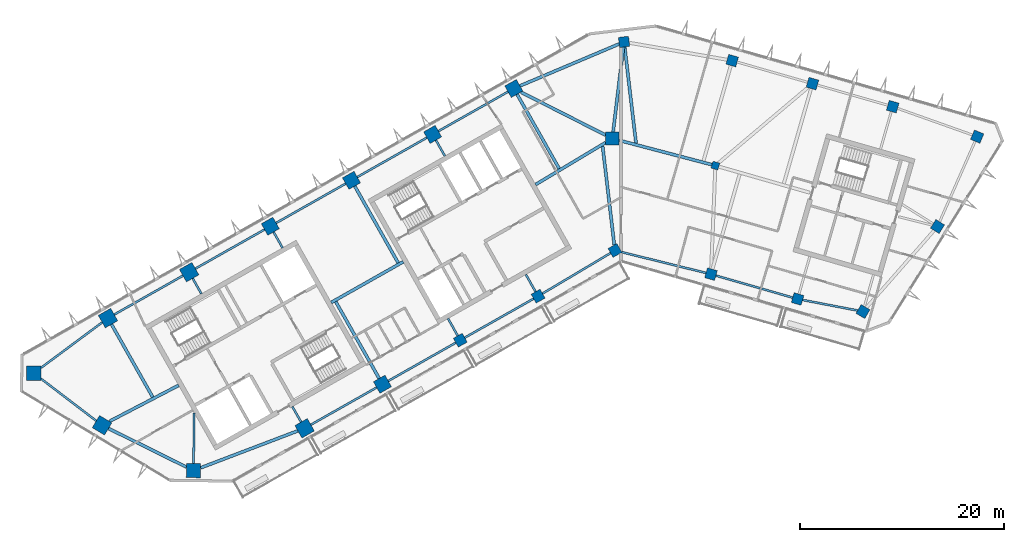
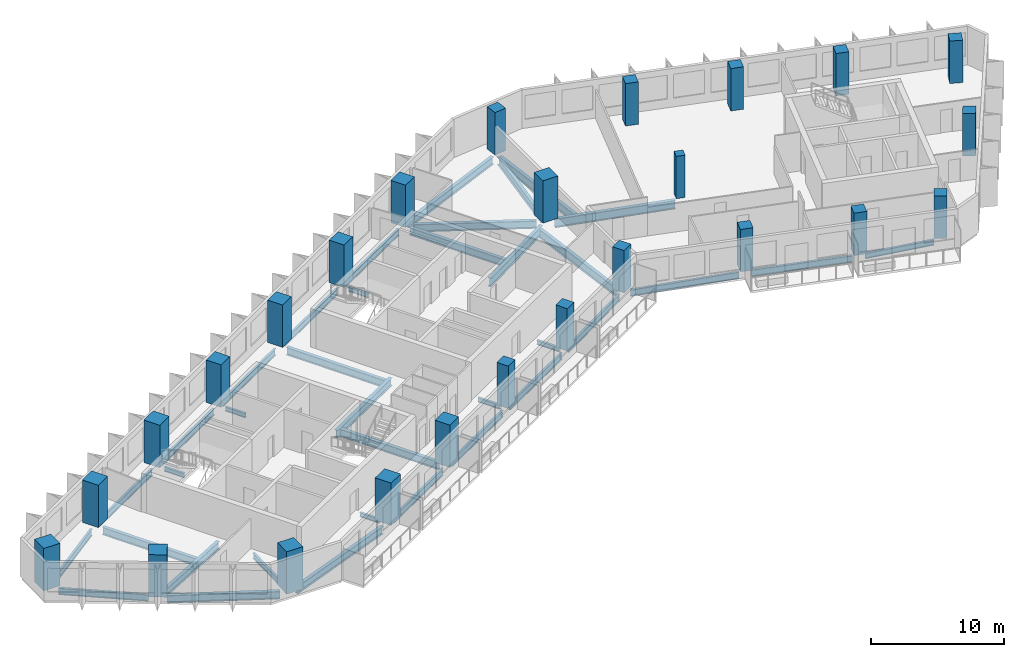
# One storey, part 1 of 12: 36 beams, 25 columns.
"""IFC4 building model written with IfcOpenShell, lengths in metres."""

import ifcopenshell
import ifcopenshell.guid

model = None  # the IFC model being written
_history = None  # IfcOwnerHistory: only IFC2X3 demands one
_inside = {}  # id of a spatial element -> (the spatial element, [elements in it])
_under = {}  # id of a project, library or spatial element -> (it, [spatial elements below it])
_declared = {}  # id of a project -> (the project, [libraries it declares])
_typed = {}  # id of a type object -> (the type object, [elements of that type])
_made_of = {}  # id of a material, layer set ... -> (it, [elements and type objects made of it])


def new_model(schema):
    """Start an empty IFC model of exactly this schema.

    Asked for "IFC4X3", IfcOpenShell would pick the latest addendum, in which some entities
    have other attributes; the version numbers below select the first issue.
    IFC2X3 requires an IfcOwnerHistory on every rooted entity: one is made here for all.
    """
    global model, _history
    if schema == "IFC4X3":
        model = ifcopenshell.file(schema_version=(4, 3, 0, 0))
    else:
        model = ifcopenshell.file(schema=schema)
    _inside.clear()
    _under.clear()
    _declared.clear()
    _typed.clear()
    _made_of.clear()
    _history = None
    if model.schema == "IFC2X3":
        org = make("IfcOrganization", Name="unknown")
        user = make(
            "IfcPersonAndOrganization",
            ThePerson=make("IfcPerson", FamilyName="unknown"),
            TheOrganization=org,
        )
        app = make(
            "IfcApplication",
            ApplicationDeveloper=org,
            Version="unknown",
            ApplicationFullName="unknown",
            ApplicationIdentifier="unknown",
        )
        _history = make(
            "IfcOwnerHistory",
            OwningUser=user,
            OwningApplication=app,
            ChangeAction="ADDED",
            CreationDate=0,
        )
    return model


def make(cls, **values):
    """One entity of the class cls with the attributes given. An attribute that is None is left unset."""
    return model.create_entity(
        cls, **{name: value for name, value in values.items() if value is not None}
    )


def rooted(cls, **values):
    """An entity with a GlobalId (a new one), such as an element, a storey or a relation."""
    return make(cls, GlobalId=ifcopenshell.guid.new(), OwnerHistory=_history, **values)


def si_unit(unit_type, name, prefix=None):
    """IfcSIUnit, for example si_unit("LENGTHUNIT", "METRE", prefix="MILLI")."""
    return make("IfcSIUnit", UnitType=unit_type, Prefix=prefix, Name=name)


def assignment(units):
    """IfcUnitAssignment: the units of a project."""
    return None if units is None else make("IfcUnitAssignment", Units=units)


def point(xyz):
    """IfcCartesianPoint."""
    return None if xyz is None else make("IfcCartesianPoint", Coordinates=xyz)


def direction(xyz):
    """IfcDirection."""
    return None if xyz is None else make("IfcDirection", DirectionRatios=xyz)


def frame(location, z_axis=None, x_axis=None):
    """IfcAxis2Placement3D, a coordinate frame: its origin and axes. An axis left out is left unset."""
    return make(
        "IfcAxis2Placement3D",
        Location=point(location),
        Axis=direction(z_axis),
        RefDirection=direction(x_axis),
    )


def frame_2d(location, x_axis=None):
    """IfcAxis2Placement2D, a coordinate frame in the plane: its origin and x axis."""
    return make(
        "IfcAxis2Placement2D", Location=point(location), RefDirection=direction(x_axis)
    )


def origin():
    """The frame at (0, 0, 0) with its axes left unset."""
    return frame((0.0, 0.0, 0.0))


def origin_2d():
    """The frame at (0, 0) in the plane with its x axis left unset."""
    return frame_2d((0.0, 0.0))


def place(relative_to, where):
    """IfcLocalPlacement: puts the frame where relative to a parent placement (None: the world)."""
    return make(
        "IfcLocalPlacement", PlacementRelTo=relative_to, RelativePlacement=where
    )


def context(
    kind, dimensions, precision=None, world=None, true_north=None, identifier=None
):
    """IfcGeometricRepresentationContext, for example the 3D "Model" context."""
    return make(
        "IfcGeometricRepresentationContext",
        ContextIdentifier=identifier,
        ContextType=kind,
        CoordinateSpaceDimension=dimensions,
        Precision=precision,
        WorldCoordinateSystem=world,
        TrueNorth=true_north,
    )


def subcontext(parent, identifier, kind, view, scale=None):
    """IfcGeometricRepresentationSubContext, for example "Body" below "Model"."""
    return make(
        "IfcGeometricRepresentationSubContext",
        ContextIdentifier=identifier,
        ContextType=kind,
        ParentContext=parent,
        TargetScale=scale,
        TargetView=view,
    )


def project(units=None, contexts=None):
    """IfcProject with its units and contexts."""
    return rooted(
        "IfcProject",
        Name="project",
        RepresentationContexts=contexts,
        UnitsInContext=assignment(units),
    )


def spatial(cls, under=None, at=None, **own):
    """A site, building, storey or space (cls), placed at a placement, below another one or the project."""
    s = rooted(cls, ObjectPlacement=at, **own)
    if under is not None:
        _under.setdefault(under.id(), (under, []))[1].append(s)
    return s


def profile(cls, at=None, kind="AREA", **sizes):
    """A parametric profile (cls). Its sizes go by their IFC names, for example OverallWidth=200.0."""
    return make(cls, ProfileType=kind, Position=at, **sizes)


def rectangle(**sizes):
    """IfcRectangleProfileDef."""
    return profile("IfcRectangleProfileDef", **sizes)


def i_section(**sizes):
    """IfcIShapeProfileDef."""
    return profile("IfcIShapeProfileDef", **sizes)


def extrude(swept, where, along, depth):
    """IfcExtrudedAreaSolid: the profile swept, set in the frame where, extruded along a direction by depth."""
    return make(
        "IfcExtrudedAreaSolid",
        SweptArea=swept,
        Position=where,
        ExtrudedDirection=direction(along),
        Depth=depth,
    )


def shape(context_of_items, identifier, shape_type, items):
    """IfcShapeRepresentation: the items that make up one representation, for example the "Body"."""
    return make(
        "IfcShapeRepresentation",
        ContextOfItems=context_of_items,
        RepresentationIdentifier=identifier,
        RepresentationType=shape_type,
        Items=items,
    )


def material(Name=None, Category=None):
    """IfcMaterial."""
    return make("IfcMaterial", Name=Name, Category=Category)


def material_profile(
    of_material, cross_section, Name=None, Category=None, Priority=None
):
    """IfcMaterialProfile: a cross section and its material."""
    return make(
        "IfcMaterialProfile",
        Name=Name,
        Material=of_material,
        Profile=cross_section,
        Priority=Priority,
        Category=Category,
    )


def profile_set(profiles, Name=None, composite=None):
    """IfcMaterialProfileSet."""
    return make(
        "IfcMaterialProfileSet",
        Name=Name,
        MaterialProfiles=profiles,
        CompositeProfile=composite,
    )


def made_of(thing, what):
    """Note that an element or type object is made of a material, layer set ...; save() writes the relation."""
    if what is not None:
        _made_of.setdefault(what.id(), (what, []))[1].append(thing)
    return thing


def type_object(cls, material=None, **own):
    """A type object (cls), such as IfcWallType, which elements share."""
    return made_of(rooted(cls, **own), material)


def element(
    cls,
    number,
    at=None,
    inside=None,
    cuts=None,
    type_object=None,
    material=None,
    context=None,
    identifier="Body",
    shape_type=None,
    held_by="IfcProductDefinitionShape",
    body=None,
    shapes=None,
    **own,
):
    """One element of the class cls, such as IfcWall. Its Tag is "e" and its number.

    at: its placement. inside: the storey or other place that contains it. cuts: it is an
    opening in that element (IfcRelVoidsElement). A single representation is given by context,
    identifier, shape_type and body (its items); several are given by shapes. held_by: the class
    of the entity that holds the representations. save() writes the other relations.
    """
    e = rooted(cls, Tag="e%d" % number, ObjectPlacement=at, **own)
    if body is not None:
        shapes = [shape(context, identifier, shape_type, body)]
    if shapes is not None:
        e.Representation = make(held_by, Representations=shapes)
    if inside is not None:
        _inside.setdefault(inside.id(), (inside, []))[1].append(e)
    if cuts is not None:
        rooted(
            "IfcRelVoidsElement", RelatingBuildingElement=cuts, RelatedOpeningElement=e
        )
    if type_object is not None:
        _typed.setdefault(type_object.id(), (type_object, []))[1].append(e)
    return made_of(e, material)


def aggregate(whole, parts):
    """IfcRelAggregates: a whole, such as a stair, and the parts it consists of."""
    return rooted("IfcRelAggregates", RelatingObject=whole, RelatedObjects=parts)


def save(model, path):
    """Write the relations noted so far, then the file.

    IfcRelAggregates (storeys below a building ...), IfcRelContainedInSpatialStructure (elements
    in a storey), IfcRelDefinesByType, IfcRelAssociatesMaterial and IfcRelDeclares: one each for
    every whole, place, type object, material and project.
    """
    for whole, parts in _under.values():
        aggregate(whole, parts)
    for where, things in _inside.values():
        rooted(
            "IfcRelContainedInSpatialStructure",
            RelatedElements=things,
            RelatingStructure=where,
        )
    for kind, things in _typed.values():
        rooted("IfcRelDefinesByType", RelatedObjects=things, RelatingType=kind)
    for what, things in _made_of.values():
        rooted("IfcRelAssociatesMaterial", RelatedObjects=things, RelatingMaterial=what)
    for by, libraries in _declared.values():
        rooted("IfcRelDeclares", RelatingContext=by, RelatedDefinitions=libraries)
    model.write(path)


model = new_model("IFC4")

# Units and contexts
model_context = context("Model", 3, precision=1e-05, world=origin(), true_north=direction((0.0, 1.0)))
body_context = subcontext(model_context, "Body", "Model", "MODEL_VIEW")
ifc_project = project(units=[si_unit("LENGTHUNIT", "METRE"), si_unit("AREAUNIT", "SQUARE_METRE"), si_unit("VOLUMEUNIT", "CUBIC_METRE"), si_unit("PLANEANGLEUNIT", "RADIAN"), si_unit("MASSUNIT", "GRAM", prefix="KILO")], contexts=[model_context])

# Site, building, storey
site_placement = place(None, origin())
site = spatial("IfcSite", under=ifc_project, at=site_placement, CompositionType="ELEMENT")
building_placement = place(site_placement, origin())
building = spatial("IfcBuilding", under=site, at=building_placement, Name="Binnacle Exchange Tower", CompositionType="ELEMENT")
storey_placement = place(building_placement, frame((0.0, 0.0, 254.300048828125)))
storey = spatial("IfcBuildingStorey", under=building, at=storey_placement, Name="L56", CompositionType="ELEMENT", Elevation=254.300048828125)

# Columns
ifc_material_1 = material(Name="Concrete C60/75", Category="concrete")
ifc_material_profile_1 = material_profile(ifc_material_1, rectangle(XDim=0.699951171875, YDim=0.699951171875, at=origin_2d()), Name="Column 700x700 C60/75")
ifc_profile_set_1 = profile_set([ifc_material_profile_1], Name="Concrete C60/75")
column_type_1 = type_object("IfcColumnType", Name="Column 700x700 C60/75", PredefinedType="COLUMN", material=ifc_profile_set_1)
column_placement = place(storey_placement, frame((9.240966796875, 57.35009765625, 0.0), z_axis=(0.0, 0.0, 1.0), x_axis=(0.961261695938, -0.275637355817, 0.0)))
element("IfcColumn", 1, at=column_placement, inside=storey, type_object=column_type_1, Name="S:COL:C19:L56", PredefinedType="COLUMN", context=body_context, shape_type="SweptSolid", body=[
    extrude(rectangle(XDim=0.699951171875, YDim=0.699951171875, at=origin_2d()), origin(), (0.0, 0.0, 1.0), 3.89990234375),
])
ifc_material_profile_2 = material_profile(ifc_material_1, rectangle(XDim=1.0, YDim=1.0, at=origin_2d()), Name="Mega column 1000x1000 C60/75")
ifc_profile_set_2 = profile_set([ifc_material_profile_2], Name="Concrete C60/75")
column_type_2 = type_object("IfcColumnType", Name="Mega column 1000x1000 C60/75", PredefinedType="COLUMN", material=ifc_profile_set_2)
for number, where, z_axis, x_axis, name in (
    (2, (26.602783203125, 63.12353515625, 0.0), (0.0, 0.0, 1.0), (-0.961261695938, 0.275637355817, 0.0), "S:COL:MC52:L56"),
    (3, (18.746337890625, 65.376220703125, 0.0), (0.0, 0.0, 1.0), (-0.961261695938, 0.275637355817, 0.0), "S:COL:MC50:L56"),
    (4, (10.889892578125, 67.62890625, 0.0), (0.0, 0.0, 1.0), (-0.961261695938, 0.275637355817, 0.0), "S:COL:MC48:L56"),
    (5, (0.300048828125, 69.464111328125, 0.0), (0.0, 0.0, 1.0), (-0.993068456955, -0.117537397458, 0.0), "S:COL:MC47:L56"),
    (6, (-15.736328125, 40.257080078125, 0.0), (0.0, 0.0, 1.0), (0.87035569594, 0.492423560103, 0.0), "S:COL:MC24:L56"),
    (7, (-8.116943359375, 44.568115234375, 0.0), (0.0, 0.0, 1.0), (0.87035569594, 0.492423560103, 0.0), "S:COL:MC35:L56"),
    (8, (-0.5908203125, 49.04443359375, 0.0), (0.0, 0.0, 1.0), (0.87035569594, 0.492423560103, 0.0), "S:COL:MC46:L56"),
    (9, (8.8095703125, 46.722412109375, 0.0), (0.0, 0.0, 1.0), (0.961261695938, -0.275637355817, 0.0), "S:COL:MC49:L56"),
    (10, (17.2880859375, 44.291015625, 0.0), (0.0, 0.0, 1.0), (0.961261695938, -0.275637355817, 0.0), "S:COL:MC51:L56"),
    (11, (23.690185546875, 43.062744140625, 0.0), (0.0, 0.0, 1.0), (-0.86532642813, 0.501208711795, 0.0), "S:COL:MC53:L56"),
    (12, (30.989501953125, 51.38623046875, 0.0), (0.0, 0.0, 1.0), (0.529919264233, 0.848048096156, 0.0), "S:COL:MC55:L56"),
    (13, (34.870361328125, 60.18701171875, 0.0), (0.0, 0.0, 1.0), (-0.922814001807, 0.385245789164, 0.0), "S:COL:MC54:L56"),
):
    element("IfcColumn", number, at=place(storey_placement, frame(where, z_axis=z_axis, x_axis=x_axis)), inside=storey, type_object=column_type_2, Name=name, PredefinedType="COLUMN", context=body_context, shape_type="SweptSolid", body=[
        extrude(rectangle(XDim=1.0, YDim=1.0, at=origin_2d()), origin(), (0.0, 0.0, 1.0), 3.89990234375),
    ])
ifc_material_profile_3 = material_profile(ifc_material_1, rectangle(XDim=1.300048828125, YDim=1.300048828125, at=origin_2d()), Name="Mega column 1300x1300 C60/75")
ifc_profile_set_3 = profile_set([ifc_material_profile_3], Name="Concrete C60/75")
column_type_3 = type_object("IfcColumnType", Name="Mega column 1300x1300 C60/75", PredefinedType="COLUMN", material=ifc_profile_set_3)
for number, where, z_axis, x_axis, name in (
    (14, (-10.4951171875, 64.901611328125, 0.0), (0.0, 0.0, 1.0), (-0.87035569594, -0.492423560103, 0.0), "S:COL:MC38:L56"),
    (15, (-18.44140625, 60.406005859375, 0.0), (0.0, 0.0, 1.0), (-0.87035569594, -0.492423560103, 0.0), "S:COL:MC29:L56"),
    (16, (-26.3876953125, 55.91015625, 0.0), (0.0, 0.0, 1.0), (-0.87035569594, -0.492423560103, 0.0), "S:COL:MC21:L56"),
    (17, (-34.333740234375, 51.414306640625, 0.0), (0.0, 0.0, 1.0), (-0.87035569594, -0.492423560103, 0.0), "S:COL:MC13:L56"),
    (18, (-23.35595703125, 35.9462890625, 0.0), (0.0, 0.0, 1.0), (0.87035569594, 0.492423560103, 0.0), "S:COL:MC16:L56"),
    (19, (-0.85009765625, 60.0, 0.0), (0.0, 0.0, 1.0), (0.0, 1.0, 0.0), "S:COL:MC45:L56"),
):
    element("IfcColumn", number, at=place(storey_placement, frame(where, z_axis=z_axis, x_axis=x_axis)), inside=storey, type_object=column_type_3, Name=name, PredefinedType="COLUMN", context=body_context, shape_type="SweptSolid", body=[
        extrude(rectangle(XDim=1.300048828125, YDim=1.300048828125, at=origin_2d()), origin(), (0.0, 0.0, 1.0), 3.89990234375),
    ])
ifc_material_profile_4 = material_profile(ifc_material_1, rectangle(XDim=1.39990234375, YDim=1.39990234375, at=origin_2d()), Name="Mega column 1400x1400 C60/75")
ifc_profile_set_4 = profile_set([ifc_material_profile_4], Name="Concrete C60/75")
column_type_4 = type_object("IfcColumnType", Name="Mega column 1400x1400 C60/75", PredefinedType="COLUMN", material=ifc_profile_set_4)
for number, where, z_axis, x_axis, name in (
    (20, (-42.280029296875, 46.918701171875, 0.0), (0.0, 0.0, 1.0), (-0.87035569594, -0.492423560103, 0.0), "S:COL:MC08:L56"),
    (21, (-50.226318359375, 42.4228515625, 0.0), (0.0, 0.0, 1.0), (-0.87035569594, -0.492423560103, 0.0), "S:COL:MC04:L56"),
    (22, (-57.492919921875, 37.02734375, 0.0), (0.0, 0.0, 1.0), (-0.013089595571, -0.999914327574, 0.0), "S:COL:MC02:L56"),
    (23, (-50.81201171875, 31.930908203125, 0.0), (0.0, 0.0, 1.0), (0.857167300702, -0.51503807491, 0.0), "S:COL:MC01:L56"),
    (24, (-41.857666015625, 27.494873046875, 0.0), (0.0, 0.0, 1.0), (0.999914327574, -0.013089595571, 0.0), "S:COL:MC03:L56"),
    (25, (-30.9755859375, 31.63525390625, 0.0), (0.0, 0.0, 1.0), (0.87035569594, 0.492423560103, 0.0), "S:COL:MC07:L56"),
):
    element("IfcColumn", number, at=place(storey_placement, frame(where, z_axis=z_axis, x_axis=x_axis)), inside=storey, type_object=column_type_4, Name=name, PredefinedType="COLUMN", context=body_context, shape_type="SweptSolid", body=[
        extrude(rectangle(XDim=1.39990234375, YDim=1.39990234375, at=origin_2d()), origin(), (0.0, 0.0, 1.0), 3.89990234375),
    ])

# Beams
ifc_material_2 = material(Name="Steel S355 (SHN355)", Category="steel")
ifc_material_profile_5 = material_profile(ifc_material_2, i_section(OverallWidth=0.199951171875, OverallDepth=0.5, WebThickness=0.010009765625, FlangeThickness=0.01611328125, FilletRadius=0.02001953125, at=origin_2d()), Name="H 500x200x10x16")
ifc_profile_set_5 = profile_set([ifc_material_profile_5], Name="Steel S355 (SHN355)")
beam_type_1 = type_object("IfcBeamType", Name="Edge girder H 500x200x10x16 Steel S355 (SHN355)", PredefinedType="SPANDREL", material=ifc_profile_set_5)
beam_1_placement = place(storey_placement, frame((17.78125, 44.196533203125, -0.530029296875), z_axis=(0.98208728148, -0.188426568073, 0.0), x_axis=(0.188426568073, 0.98208728148, 0.0)))
element("IfcBeam", 26, at=beam_1_placement, inside=storey, type_object=beam_type_1, Name="S:BM:edge:L56:028", PredefinedType="SPANDREL", context=body_context, shape_type="SweptSolid", body=[
    extrude(i_section(OverallWidth=0.199951171875, OverallDepth=0.5, WebThickness=0.010009765625, FlangeThickness=0.01611328125, FilletRadius=0.02001953125, at=origin_2d()), origin(), (0.0, 0.0, 1.0), 5.4873046875),
])
ifc_material_profile_6 = material_profile(ifc_material_2, i_section(OverallWidth=0.199951171875, OverallDepth=0.60009765625, WebThickness=0.010986328125, FlangeThickness=0.01708984375, FilletRadius=0.02197265625, at=origin_2d()), Name="H 600x200x11x17")
ifc_profile_set_6 = profile_set([ifc_material_profile_6], Name="Steel S355 (SHN355)")
beam_type_2 = type_object("IfcBeamType", Name="Edge girder H 600x200x11x17 Steel S355 (SHN355)", PredefinedType="SPANDREL", material=ifc_profile_set_6)
beam_2_placement = place(storey_placement, frame((-56.7998046875, 36.49853515625, -0.580078125), z_axis=(0.795081038606, -0.606503208606, 0.0), x_axis=(0.606503208606, 0.795081038606, 0.0)))
element("IfcBeam", 27, at=beam_2_placement, inside=storey, type_object=beam_type_2, Name="S:BM:edge:L56:011", PredefinedType="SPANDREL", context=body_context, shape_type="SweptSolid", body=[
    extrude(i_section(OverallWidth=0.199951171875, OverallDepth=0.60009765625, WebThickness=0.010986328125, FlangeThickness=0.01708984375, FilletRadius=0.02197265625, at=origin_2d()), origin(), (0.0, 0.0, 1.0), 6.82666015625),
])
ifc_material_profile_7 = material_profile(ifc_material_2, i_section(OverallWidth=0.200927734375, OverallDepth=0.60595703125, WebThickness=0.011962890625, FlangeThickness=0.02001953125, FilletRadius=0.02197265625, at=origin_2d()), Name="H 606x201x12x20")
ifc_profile_set_7 = profile_set([ifc_material_profile_7], Name="Steel S355 (SHN355)")
beam_type_3 = type_object("IfcBeamType", Name="Edge girder H 606x201x12x20 Steel S355 (SHN355)", PredefinedType="SPANDREL", material=ifc_profile_set_7)
beam_3_placement = place(storey_placement, frame((-50.79248046875, 42.00244140625, -0.5830078125), z_axis=(-0.802886959261, -0.596131303194, 0.0), x_axis=(0.596131303194, -0.802886959261, 0.0)))
element("IfcBeam", 28, at=beam_3_placement, inside=storey, type_object=beam_type_3, Name="S:BM:edge:L56:012", PredefinedType="SPANDREL", context=body_context, shape_type="SweptSolid", body=[
    extrude(i_section(OverallWidth=0.200927734375, OverallDepth=0.60595703125, WebThickness=0.011962890625, FlangeThickness=0.02001953125, FilletRadius=0.02197265625, at=origin_2d()), origin(), (0.0, 0.0, 1.0), 7.465087890625),
])
beam_4_placement = place(storey_placement, frame((-30.3662109375, 31.97998046875, -0.5830078125), z_axis=(0.87035151347, 0.49243095252, 0.0), x_axis=(-0.49243095252, 0.87035151347, 0.0)))
element("IfcBeam", 29, at=beam_4_placement, inside=storey, type_object=beam_type_3, Name="S:BM:edge:L56:017", PredefinedType="SPANDREL", context=body_context, shape_type="SweptSolid", body=[
    extrude(i_section(OverallWidth=0.200927734375, OverallDepth=0.60595703125, WebThickness=0.011962890625, FlangeThickness=0.02001953125, FilletRadius=0.02197265625, at=origin_2d()), origin(), (0.0, 0.0, 1.0), 7.404541015625),
])
beam_5_placement = place(storey_placement, frame((-22.790283203125, 36.266357421875, -0.5830078125), z_axis=(0.870357072119, 0.492421127708, 0.0), x_axis=(-0.492421127708, 0.870357072119, 0.0)))
element("IfcBeam", 30, at=beam_5_placement, inside=storey, type_object=beam_type_3, Name="S:BM:edge:L56:019", PredefinedType="SPANDREL", context=body_context, shape_type="SweptSolid", body=[
    extrude(i_section(OverallWidth=0.200927734375, OverallDepth=0.60595703125, WebThickness=0.011962890625, FlangeThickness=0.02001953125, FilletRadius=0.02197265625, at=origin_2d()), origin(), (0.0, 0.0, 1.0), 7.6044921875),
])
beam_6_placement = place(storey_placement, frame((-15.30126953125, 40.50341796875, -0.5830078125), z_axis=(0.870352841483, 0.492428605304, 0.0), x_axis=(-0.492428605304, 0.870352841483, 0.0)))
element("IfcBeam", 31, at=beam_6_placement, inside=storey, type_object=beam_type_3, Name="S:BM:edge:L56:021", PredefinedType="SPANDREL", context=body_context, shape_type="SweptSolid", body=[
    extrude(i_section(OverallWidth=0.200927734375, OverallDepth=0.60595703125, WebThickness=0.011962890625, FlangeThickness=0.02001953125, FilletRadius=0.02197265625, at=origin_2d()), origin(), (0.0, 0.0, 1.0), 7.754638671875),
])
beam_7_placement = place(storey_placement, frame((-7.68701171875, 44.82373046875, -0.5830078125), z_axis=(0.859458521045, 0.51120548765, 0.0), x_axis=(-0.51120548765, 0.859458521045, 0.0)))
element("IfcBeam", 32, at=beam_7_placement, inside=storey, type_object=beam_type_3, Name="S:BM:edge:L56:023", PredefinedType="SPANDREL", context=body_context, shape_type="SweptSolid", body=[
    extrude(i_section(OverallWidth=0.200927734375, OverallDepth=0.60595703125, WebThickness=0.011962890625, FlangeThickness=0.02001953125, FilletRadius=0.02197265625, at=origin_2d()), origin(), (0.0, 0.0, 1.0), 7.75634765625),
])
beam_8_placement = place(storey_placement, frame((9.2900390625, 46.58447265625, -0.5830078125), z_axis=(0.961265533153, -0.275623973506, 0.0), x_axis=(0.275623973506, 0.961265533153, 0.0)))
element("IfcBeam", 33, at=beam_8_placement, inside=storey, type_object=beam_type_3, Name="S:BM:edge:L56:026", PredefinedType="SPANDREL", context=body_context, shape_type="SweptSolid", body=[
    extrude(i_section(OverallWidth=0.200927734375, OverallDepth=0.60595703125, WebThickness=0.011962890625, FlangeThickness=0.02001953125, FilletRadius=0.02197265625, at=origin_2d()), origin(), (0.0, 0.0, 1.0), 7.820556640625),
])
ifc_material_profile_8 = material_profile(ifc_material_2, i_section(OverallWidth=0.201904296875, OverallDepth=0.612060546875, WebThickness=0.012939453125, FlangeThickness=0.02294921875, FilletRadius=0.02197265625, at=origin_2d()), Name="H 612x202x13x23")
ifc_profile_set_8 = profile_set([ifc_material_profile_8], Name="Steel S355 (SHN355)")
beam_type_4 = type_object("IfcBeamType", Name="Edge girder H 612x202x13x23 Steel S355 (SHN355)", PredefinedType="SPANDREL", material=ifc_profile_set_8)
beam_9_placement = place(storey_placement, frame((-42.88916015625, 46.573974609375, -0.5859375), z_axis=(-0.870355702011, -0.492423549372, 0.0), x_axis=(0.492423549372, -0.870355702011, 0.0)))
element("IfcBeam", 34, at=beam_9_placement, inside=storey, type_object=beam_type_4, Name="S:BM:edge:L56:014", PredefinedType="SPANDREL", context=body_context, shape_type="SweptSolid", body=[
    extrude(i_section(OverallWidth=0.201904296875, OverallDepth=0.612060546875, WebThickness=0.012939453125, FlangeThickness=0.02294921875, FilletRadius=0.02197265625, at=origin_2d()), origin(), (0.0, 0.0, 1.0), 7.72998046875),
])
beam_10_placement = place(storey_placement, frame((-34.8994140625, 51.09423828125, -0.5859375), z_axis=(-0.870365218126, -0.492406729317, 0.0), x_axis=(0.492406729317, -0.870365218126, 0.0)))
element("IfcBeam", 35, at=beam_10_placement, inside=storey, type_object=beam_type_4, Name="S:BM:edge:L56:016", PredefinedType="SPANDREL", context=body_context, shape_type="SweptSolid", body=[
    extrude(i_section(OverallWidth=0.201904296875, OverallDepth=0.612060546875, WebThickness=0.012939453125, FlangeThickness=0.02294921875, FilletRadius=0.02197265625, at=origin_2d()), origin(), (0.0, 0.0, 1.0), 7.77978515625),
])
beam_11_placement = place(storey_placement, frame((-26.953369140625, 55.590087890625, -0.5859375), z_axis=(-0.870361249296, -0.492413744452, 0.0), x_axis=(0.492413744452, -0.870361249296, 0.0)))
element("IfcBeam", 36, at=beam_11_placement, inside=storey, type_object=beam_type_4, Name="S:BM:edge:L56:018", PredefinedType="SPANDREL", context=body_context, shape_type="SweptSolid", body=[
    extrude(i_section(OverallWidth=0.201904296875, OverallDepth=0.612060546875, WebThickness=0.012939453125, FlangeThickness=0.02294921875, FilletRadius=0.02197265625, at=origin_2d()), origin(), (0.0, 0.0, 1.0), 7.829833984375),
])
beam_12_placement = place(storey_placement, frame((-19.007080078125, 60.0859375, -0.5859375), z_axis=(-0.870355446453, -0.492424001069, 0.0), x_axis=(0.492424001069, -0.870355446453, 0.0)))
element("IfcBeam", 37, at=beam_12_placement, inside=storey, type_object=beam_type_4, Name="S:BM:edge:L56:020", PredefinedType="SPANDREL", context=body_context, shape_type="SweptSolid", body=[
    extrude(i_section(OverallWidth=0.201904296875, OverallDepth=0.612060546875, WebThickness=0.012939453125, FlangeThickness=0.02294921875, FilletRadius=0.02197265625, at=origin_2d()), origin(), (0.0, 0.0, 1.0), 7.830078125),
])
beam_13_placement = place(storey_placement, frame((-11.060791015625, 64.58154296875, -0.5859375), z_axis=(-0.870361249296, -0.492413744452, 0.0), x_axis=(0.492413744452, -0.870361249296, 0.0)))
element("IfcBeam", 38, at=beam_13_placement, inside=storey, type_object=beam_type_4, Name="S:BM:edge:L56:022", PredefinedType="SPANDREL", context=body_context, shape_type="SweptSolid", body=[
    extrude(i_section(OverallWidth=0.201904296875, OverallDepth=0.612060546875, WebThickness=0.012939453125, FlangeThickness=0.02294921875, FilletRadius=0.02197265625, at=origin_2d()), origin(), (0.0, 0.0, 1.0), 7.829833984375),
])
beam_14_placement = place(storey_placement, frame((0.076904296875, 48.87939453125, -0.5859375), z_axis=(0.970819987475, -0.239809407487, 0.0), x_axis=(0.239809407487, 0.970819987475, 0.0)))
element("IfcBeam", 39, at=beam_14_placement, inside=storey, type_object=beam_type_4, Name="S:BM:edge:L56:025", PredefinedType="SPANDREL", context=body_context, shape_type="SweptSolid", body=[
    extrude(i_section(OverallWidth=0.201904296875, OverallDepth=0.612060546875, WebThickness=0.012939453125, FlangeThickness=0.02294921875, FilletRadius=0.02197265625, at=origin_2d()), origin(), (0.0, 0.0, 1.0), 8.49462890625),
])
ifc_material_profile_9 = material_profile(ifc_material_2, i_section(OverallWidth=0.300048828125, OverallDepth=0.699951171875, WebThickness=0.012939453125, FlangeThickness=0.02392578125, FilletRadius=0.028076171875, at=origin_2d()), Name="H 700x300x13x24")
ifc_profile_set_9 = profile_set([ifc_material_profile_9], Name="Steel S355 (SHN355)")
beam_type_5 = type_object("IfcBeamType", Name="Edge girder H 700x300x13x24 Steel S355 (SHN355)", PredefinedType="SPANDREL", material=ifc_profile_set_9)
beam_15_placement = place(storey_placement, frame((-50.1826171875, 31.619140625, -0.630126953125), z_axis=(0.896061326398, -0.443930286569, 0.0), x_axis=(0.443930286569, 0.896061326398, 0.0)))
element("IfcBeam", 40, at=beam_15_placement, inside=storey, type_object=beam_type_5, Name="S:BM:edge:L56:013", PredefinedType="SPANDREL", context=body_context, shape_type="SweptSolid", body=[
    extrude(i_section(OverallWidth=0.300048828125, OverallDepth=0.699951171875, WebThickness=0.012939453125, FlangeThickness=0.02392578125, FilletRadius=0.028076171875, at=origin_2d()), origin(), (0.0, 0.0, 1.0), 8.514404296875),
])
beam_16_placement = place(storey_placement, frame((-41.154052734375, 27.762451171875, -0.630126953125), z_axis=(0.934627442278, 0.355628379268, 0.0), x_axis=(-0.355628379268, 0.934627442278, 0.0)))
element("IfcBeam", 41, at=beam_16_placement, inside=storey, type_object=beam_type_5, Name="S:BM:edge:L56:015", PredefinedType="SPANDREL", context=body_context, shape_type="SweptSolid", body=[
    extrude(i_section(OverallWidth=0.300048828125, OverallDepth=0.699951171875, WebThickness=0.012939453125, FlangeThickness=0.02392578125, FilletRadius=0.028076171875, at=origin_2d()), origin(), (0.0, 0.0, 1.0), 10.18212890625),
])
beam_17_placement = place(storey_placement, frame((-0.179443359375, 69.261474609375, -0.630126953125), z_axis=(-0.921114178723, -0.389292524659, 0.0), x_axis=(0.389292524659, -0.921114178723, 0.0)))
element("IfcBeam", 42, at=beam_17_placement, inside=storey, type_object=beam_type_5, Name="S:BM:edge:L56:024", PredefinedType="SPANDREL", context=body_context, shape_type="SweptSolid", body=[
    extrude(i_section(OverallWidth=0.300048828125, OverallDepth=0.699951171875, WebThickness=0.012939453125, FlangeThickness=0.02392578125, FilletRadius=0.028076171875, at=origin_2d()), origin(), (0.0, 0.0, 1.0), 10.544677734375),
])
ifc_material_profile_10 = material_profile(ifc_material_2, i_section(OverallWidth=0.199951171875, OverallDepth=0.39990234375, WebThickness=0.008056640625, FlangeThickness=0.012939453125, FilletRadius=0.01611328125, at=origin_2d()), Name="H 400x200x8x13")
ifc_profile_set_10 = profile_set([ifc_material_profile_10], Name="Steel S355 (SHN355)")
beam_type_6 = type_object("IfcBeamType", Name="Floor beam H 400x200x8x13 Steel S355 (SHN355)", PredefinedType="BEAM", material=ifc_profile_set_10)
beam_18_placement = place(storey_placement, frame((-41.935302734375, 46.3095703125, -0.47998046875), z_axis=(0.492405102951, -0.870366138236, 0.0), x_axis=(0.870366138236, 0.492405102951, 0.0)))
element("IfcBeam", 43, at=beam_18_placement, inside=storey, type_object=beam_type_6, Name="S:BM:cross:L56:035", PredefinedType="BEAM", context=body_context, shape_type="SweptSolid", body=[
    extrude(i_section(OverallWidth=0.199951171875, OverallDepth=0.39990234375, WebThickness=0.008056640625, FlangeThickness=0.012939453125, FilletRadius=0.01611328125, at=origin_2d()), origin(), (0.0, 0.0, 1.0), 1.734375),
])
beam_19_placement = place(storey_placement, frame((-34.013671875, 50.8486328125, -0.47998046875), z_axis=(0.492435931281, -0.870348696548, 0.0), x_axis=(0.870348696548, 0.492435931281, 0.0)))
element("IfcBeam", 44, at=beam_19_placement, inside=storey, type_object=beam_type_6, Name="S:BM:cross:L56:037", PredefinedType="BEAM", context=body_context, shape_type="SweptSolid", body=[
    extrude(i_section(OverallWidth=0.199951171875, OverallDepth=0.39990234375, WebThickness=0.008056640625, FlangeThickness=0.012939453125, FilletRadius=0.01611328125, at=origin_2d()), origin(), (0.0, 0.0, 1.0), 1.784423828125),
])
beam_20_placement = place(storey_placement, frame((-31.3203125, 32.244384765625, -0.47998046875), z_axis=(-0.492405102951, 0.870366138236, 0.0), x_axis=(-0.870366138236, -0.492405102951, 0.0)))
element("IfcBeam", 45, at=beam_20_placement, inside=storey, type_object=beam_type_6, Name="S:BM:cross:L56:038", PredefinedType="BEAM", context=body_context, shape_type="SweptSolid", body=[
    extrude(i_section(OverallWidth=0.199951171875, OverallDepth=0.39990234375, WebThickness=0.008056640625, FlangeThickness=0.012939453125, FilletRadius=0.01611328125, at=origin_2d()), origin(), (0.0, 0.0, 1.0), 1.734375),
])
beam_21_placement = place(storey_placement, frame((-18.12109375, 59.84033203125, -0.47998046875), z_axis=(0.49233227435, -0.870407336615, 0.0), x_axis=(0.870407336615, 0.49233227435, 0.0)))
element("IfcBeam", 46, at=beam_21_placement, inside=storey, type_object=beam_type_6, Name="S:BM:cross:L56:041", PredefinedType="BEAM", context=body_context, shape_type="SweptSolid", body=[
    extrude(i_section(OverallWidth=0.199951171875, OverallDepth=0.39990234375, WebThickness=0.008056640625, FlangeThickness=0.012939453125, FilletRadius=0.01611328125, at=origin_2d()), origin(), (0.0, 0.0, 1.0), 1.7841796875),
])
for number, where, z_axis, x_axis, name in (
    (47, (-15.982666015625, 40.6923828125, -0.47998046875), (-0.492369148916, 0.870386478063, 0.0), (-0.870386478063, -0.492369148916, 0.0), "S:BM:cross:L56:042"),
    (48, (-8.363037109375, 45.00341796875, -0.47998046875), (-0.492518856771, 0.870301772792, 0.0), (-0.870301772792, -0.492518856771, 0.0), "S:BM:cross:L56:044"),
):
    element("IfcBeam", number, at=place(storey_placement, frame(where, z_axis=z_axis, x_axis=x_axis)), inside=storey, type_object=beam_type_6, Name=name, PredefinedType="BEAM", context=body_context, shape_type="SweptSolid", body=[
        extrude(i_section(OverallWidth=0.199951171875, OverallDepth=0.39990234375, WebThickness=0.008056640625, FlangeThickness=0.012939453125, FilletRadius=0.01611328125, at=origin_2d()), origin(), (0.0, 0.0, 1.0), 1.934326171875),
    ])
ifc_material_profile_11 = material_profile(ifc_material_2, i_section(OverallWidth=0.200927734375, OverallDepth=0.506103515625, WebThickness=0.010986328125, FlangeThickness=0.01904296875, FilletRadius=0.02001953125, at=origin_2d()), Name="H 506x201x11x19")
ifc_profile_set_11 = profile_set([ifc_material_profile_11], Name="Steel S355 (SHN355)")
beam_type_7 = type_object("IfcBeamType", Name="Floor beam H 506x201x11x19 Steel S355 (SHN355)", PredefinedType="BEAM", material=ifc_profile_set_11)
beam_22_placement = place(storey_placement, frame((-41.848388671875, 28.194580078125, -0.532958984375), z_axis=(0.013067878487, 0.99991461163, 0.0), x_axis=(-0.99991461163, 0.013067878487, 0.0)))
element("IfcBeam", 49, at=beam_22_placement, inside=storey, type_object=beam_type_7, Name="S:BM:cross:L56:036", PredefinedType="BEAM", context=body_context, shape_type="SweptSolid", body=[
    extrude(i_section(OverallWidth=0.200927734375, OverallDepth=0.506103515625, WebThickness=0.010986328125, FlangeThickness=0.01904296875, FilletRadius=0.02001953125, at=origin_2d()), origin(), (0.0, 0.0, 1.0), 4.950927734375),
])
ifc_material_profile_12 = material_profile(ifc_material_2, i_section(OverallWidth=0.300048828125, OverallDepth=0.699951171875, WebThickness=0.012939453125, FlangeThickness=0.02392578125, FilletRadius=0.028076171875, at=origin_2d()), Name="H 700x300x13x24")
ifc_profile_set_12 = profile_set([ifc_material_profile_12], Name="Steel S355 (SHN355)")
beam_type_8 = type_object("IfcBeamType", Name="Floor beam H 700x300x13x24 Steel S355 (SHN355)", PredefinedType="BEAM", material=ifc_profile_set_12)
beam_23_placement = place(storey_placement, frame((-49.881591796875, 41.813720703125, -0.630126953125), z_axis=(0.492430408551, -0.870351821239, 0.0), x_axis=(0.870351821239, 0.492430408551, 0.0)))
element("IfcBeam", 50, at=beam_23_placement, inside=storey, type_object=beam_type_8, Name="S:BM:cross:L56:034", PredefinedType="BEAM", context=body_context, shape_type="SweptSolid", body=[
    extrude(i_section(OverallWidth=0.300048828125, OverallDepth=0.699951171875, WebThickness=0.012939453125, FlangeThickness=0.02392578125, FilletRadius=0.028076171875, at=origin_2d()), origin(), (0.0, 0.0, 1.0), 8.19140625),
])
beam_24_placement = place(storey_placement, frame((-10.175048828125, 64.3359375, -0.630126953125), z_axis=(0.492424391334, -0.870355225652, 0.0), x_axis=(0.870355225652, 0.492424391334, 0.0)))
element("IfcBeam", 51, at=beam_24_placement, inside=storey, type_object=beam_type_8, Name="S:BM:cross:L56:043", PredefinedType="BEAM", context=body_context, shape_type="SweptSolid", body=[
    extrude(i_section(OverallWidth=0.300048828125, OverallDepth=0.699951171875, WebThickness=0.012939453125, FlangeThickness=0.02392578125, FilletRadius=0.028076171875, at=origin_2d()), origin(), (0.0, 0.0, 1.0), 8.369384765625),
])
ifc_material_profile_13 = material_profile(ifc_material_2, i_section(OverallWidth=0.302001953125, OverallDepth=0.7080078125, WebThickness=0.014892578125, FlangeThickness=0.028076171875, FilletRadius=0.028076171875, at=origin_2d()), Name="H 708x302x15x28")
ifc_profile_set_13 = profile_set([ifc_material_profile_13], Name="Steel S355 (SHN355)")
beam_type_9 = type_object("IfcBeamType", Name="Floor beam H 708x302x15x28 Steel S355 (SHN355)", PredefinedType="BEAM", material=ifc_profile_set_13)
beam_25_placement = place(storey_placement, frame((-26.0673828125, 55.344482421875, -0.634033203125), z_axis=(0.492401028839, -0.870368443131, 0.0), x_axis=(0.870368443131, 0.492401028839, 0.0)))
element("IfcBeam", 52, at=beam_25_placement, inside=storey, type_object=beam_type_9, Name="S:BM:cross:L56:039", PredefinedType="BEAM", context=body_context, shape_type="SweptSolid", body=[
    extrude(i_section(OverallWidth=0.302001953125, OverallDepth=0.7080078125, WebThickness=0.014892578125, FlangeThickness=0.028076171875, FilletRadius=0.028076171875, at=origin_2d()), origin(), (0.0, 0.0, 1.0), 8.634033203125),
])
beam_26_placement = place(storey_placement, frame((-23.676025390625, 36.511962890625, -0.634033203125), z_axis=(-0.492422448747, 0.870356324714, 0.0), x_axis=(-0.870356324714, -0.492422448747, 0.0)))
element("IfcBeam", 53, at=beam_26_placement, inside=storey, type_object=beam_type_9, Name="S:BM:cross:L56:040", PredefinedType="BEAM", context=body_context, shape_type="SweptSolid", body=[
    extrude(i_section(OverallWidth=0.302001953125, OverallDepth=0.7080078125, WebThickness=0.014892578125, FlangeThickness=0.028076171875, FilletRadius=0.028076171875, at=origin_2d()), origin(), (0.0, 0.0, 1.0), 8.63427734375),
])
ifc_material_profile_14 = material_profile(ifc_material_2, i_section(OverallWidth=0.300048828125, OverallDepth=0.800048828125, WebThickness=0.013916015625, FlangeThickness=0.02587890625, FilletRadius=0.028076171875, at=origin_2d()), Name="H 800x300x14x26")
ifc_profile_set_14 = profile_set([ifc_material_profile_14], Name="Steel S355 (SHN355)")
beam_type_10 = type_object("IfcBeamType", Name="Floor beam H 800x300x14x26 Steel S355 (SHN355)", PredefinedType="BEAM", material=ifc_profile_set_14)
beam_27_placement = place(storey_placement, frame((-0.654541015625, 49.5830078125, -0.679931640625), z_axis=(-0.117538284625, 0.993068351951, 0.0), x_axis=(-0.993068351951, -0.117538284625, 0.0)))
element("IfcBeam", 54, at=beam_27_placement, inside=storey, type_object=beam_type_10, Name="S:BM:cross:L56:045", PredefinedType="BEAM", context=body_context, shape_type="SweptSolid", body=[
    extrude(i_section(OverallWidth=0.300048828125, OverallDepth=0.800048828125, WebThickness=0.013916015625, FlangeThickness=0.02587890625, FilletRadius=0.028076171875, at=origin_2d()), origin(), (0.0, 0.0, 1.0), 9.754150390625),
])
beam_28_placement = place(storey_placement, frame((0.35888671875, 68.9677734375, -0.679931640625), z_axis=(0.117547988923, -0.993067203315, 0.0), x_axis=(0.993067203315, 0.117547988923, 0.0)))
element("IfcBeam", 55, at=beam_28_placement, inside=storey, type_object=beam_type_10, Name="S:BM:cross:L56:046", PredefinedType="BEAM", context=body_context, shape_type="SweptSolid", body=[
    extrude(i_section(OverallWidth=0.300048828125, OverallDepth=0.800048828125, WebThickness=0.013916015625, FlangeThickness=0.02587890625, FilletRadius=0.028076171875, at=origin_2d()), origin(), (0.0, 0.0, 1.0), 9.5),
])
ifc_material_profile_15 = material_profile(ifc_material_2, i_section(OverallWidth=0.300048828125, OverallDepth=0.699951171875, WebThickness=0.012939453125, FlangeThickness=0.02392578125, FilletRadius=0.028076171875, at=origin_2d()), Name="H 700x300x13x24")
ifc_profile_set_15 = profile_set([ifc_material_profile_15], Name="Steel S355 (SHN355)")
beam_type_11 = type_object("IfcBeamType", Name="Spine girder H 700x300x13x24 Steel S355 (SHN355)", PredefinedType="BEAM", material=ifc_profile_set_15)
beam_29_placement = place(storey_placement, frame((-50.083740234375, 32.31005859375, -0.630126953125), z_axis=(0.886975994229, 0.46181553207, 0.0), x_axis=(-0.46181553207, 0.886975994229, 0.0)))
element("IfcBeam", 56, at=beam_29_placement, inside=storey, type_object=beam_type_11, Name="S:BM:spine:L56:001", PredefinedType="BEAM", context=body_context, shape_type="SweptSolid", body=[
    extrude(i_section(OverallWidth=0.300048828125, OverallDepth=0.699951171875, WebThickness=0.012939453125, FlangeThickness=0.02392578125, FilletRadius=0.028076171875, at=origin_2d()), origin(), (0.0, 0.0, 1.0), 7.6396484375),
])
beam_30_placement = place(storey_placement, frame((-1.5, 60.330322265625, -0.630126953125), z_axis=(-0.891481538846, 0.453057022786, 0.0), x_axis=(-0.453057022786, -0.891481538846, 0.0)))
element("IfcBeam", 57, at=beam_30_placement, inside=storey, type_object=beam_type_11, Name="S:BM:spine:L56:004", PredefinedType="BEAM", context=body_context, shape_type="SweptSolid", body=[
    extrude(i_section(OverallWidth=0.300048828125, OverallDepth=0.699951171875, WebThickness=0.012939453125, FlangeThickness=0.02392578125, FilletRadius=0.028076171875, at=origin_2d()), origin(), (0.0, 0.0, 1.0), 9.31005859375),
])
beam_31_placement = place(storey_placement, frame((-0.77099609375, 60.64990234375, -0.630126953125), z_axis=(0.120632086068, 0.992697285083, 0.0), x_axis=(-0.992697285083, 0.120632086068, 0.0)))
element("IfcBeam", 58, at=beam_31_placement, inside=storey, type_object=beam_type_11, Name="S:BM:spine:L56:005", PredefinedType="BEAM", context=body_context, shape_type="SweptSolid", body=[
    extrude(i_section(OverallWidth=0.300048828125, OverallDepth=0.699951171875, WebThickness=0.012939453125, FlangeThickness=0.02392578125, FilletRadius=0.028076171875, at=origin_2d()), origin(), (0.0, 0.0, 1.0), 8.364501953125),
])
ifc_material_profile_16 = material_profile(ifc_material_2, i_section(OverallWidth=0.302001953125, OverallDepth=0.7080078125, WebThickness=0.014892578125, FlangeThickness=0.028076171875, FilletRadius=0.028076171875, at=origin_2d()), Name="H 708x302x15x28")
ifc_profile_set_16 = profile_set([ifc_material_profile_16], Name="Steel S355 (SHN355)")
beam_type_12 = type_object("IfcBeamType", Name="Spine girder H 708x302x15x28 Steel S355 (SHN355)", PredefinedType="BEAM", material=ifc_profile_set_16)
beam_32_placement = place(storey_placement, frame((-28.365478515625, 43.951416015625, -0.634033203125), z_axis=(0.870350319004, 0.492433063684, 0.0), x_axis=(-0.492433063684, 0.870350319004, 0.0)))
element("IfcBeam", 59, at=beam_32_placement, inside=storey, type_object=beam_type_12, Name="S:BM:spine:L56:002", PredefinedType="BEAM", context=body_context, shape_type="SweptSolid", body=[
    extrude(i_section(OverallWidth=0.302001953125, OverallDepth=0.7080078125, WebThickness=0.014892578125, FlangeThickness=0.028076171875, FilletRadius=0.028076171875, at=origin_2d()), origin(), (0.0, 0.0, 1.0), 8.0908203125),
])
ifc_material_profile_17 = material_profile(ifc_material_2, i_section(OverallWidth=0.300048828125, OverallDepth=0.800048828125, WebThickness=0.013916015625, FlangeThickness=0.02587890625, FilletRadius=0.028076171875, at=origin_2d()), Name="H 800x300x14x26")
ifc_profile_set_17 = profile_set([ifc_material_profile_17], Name="Steel S355 (SHN355)")
beam_type_13 = type_object("IfcBeamType", Name="Spine girder H 800x300x14x26 Steel S355 (SHN355)", PredefinedType="BEAM", material=ifc_profile_set_17)
beam_33_placement = place(storey_placement, frame((-8.36328125, 55.489990234375, -0.679931640625), z_axis=(0.857387955422, 0.514670665472, 0.0), x_axis=(-0.514670665472, 0.857387955422, 0.0)))
element("IfcBeam", 60, at=beam_33_placement, inside=storey, type_object=beam_type_13, Name="S:BM:spine:L56:003", PredefinedType="BEAM", context=body_context, shape_type="SweptSolid", body=[
    extrude(i_section(OverallWidth=0.300048828125, OverallDepth=0.800048828125, WebThickness=0.013916015625, FlangeThickness=0.02587890625, FilletRadius=0.028076171875, at=origin_2d()), origin(), (0.0, 0.0, 1.0), 8.0048828125),
])
beam_34_placement = place(storey_placement, frame((-0.199951171875, 59.829345703125, -0.679931640625), z_axis=(0.967210495765, -0.253976095098, 0.0), x_axis=(0.253976095098, 0.967210495765, 0.0)))
element("IfcBeam", 61, at=beam_34_placement, inside=storey, type_object=beam_type_13, Name="S:BM:spine:L56:006", PredefinedType="BEAM", context=body_context, shape_type="SweptSolid", body=[
    extrude(i_section(OverallWidth=0.300048828125, OverallDepth=0.800048828125, WebThickness=0.013916015625, FlangeThickness=0.02587890625, FilletRadius=0.028076171875, at=origin_2d()), origin(), (0.0, 0.0, 1.0), 9.410888671875),
])

save(model, "model.ifc")
